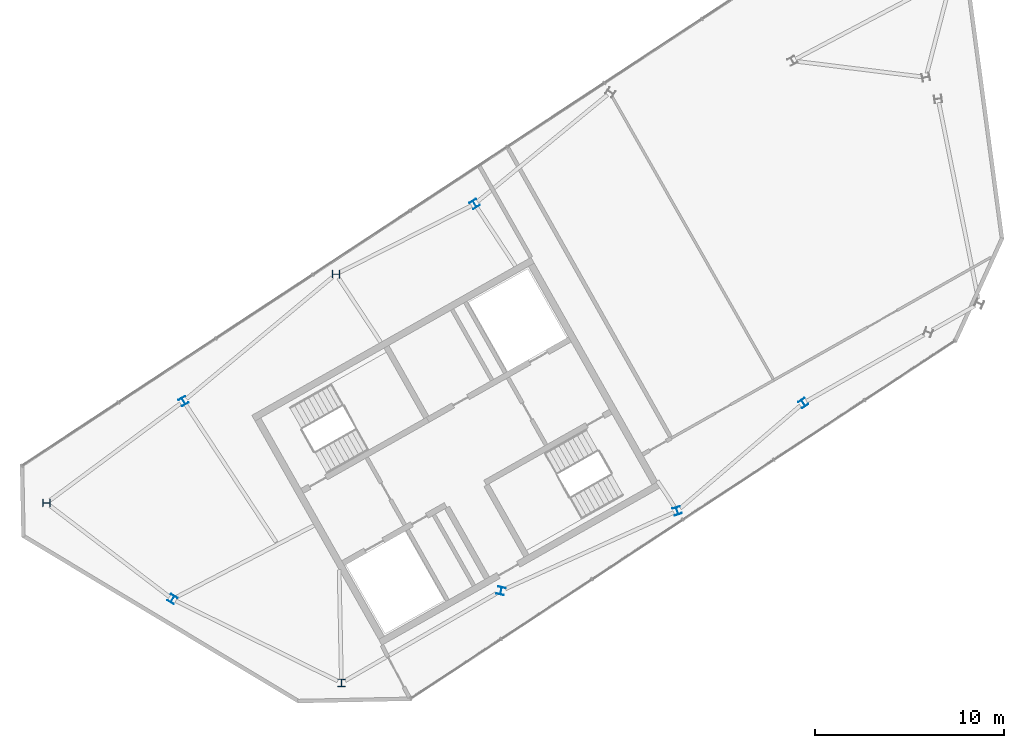
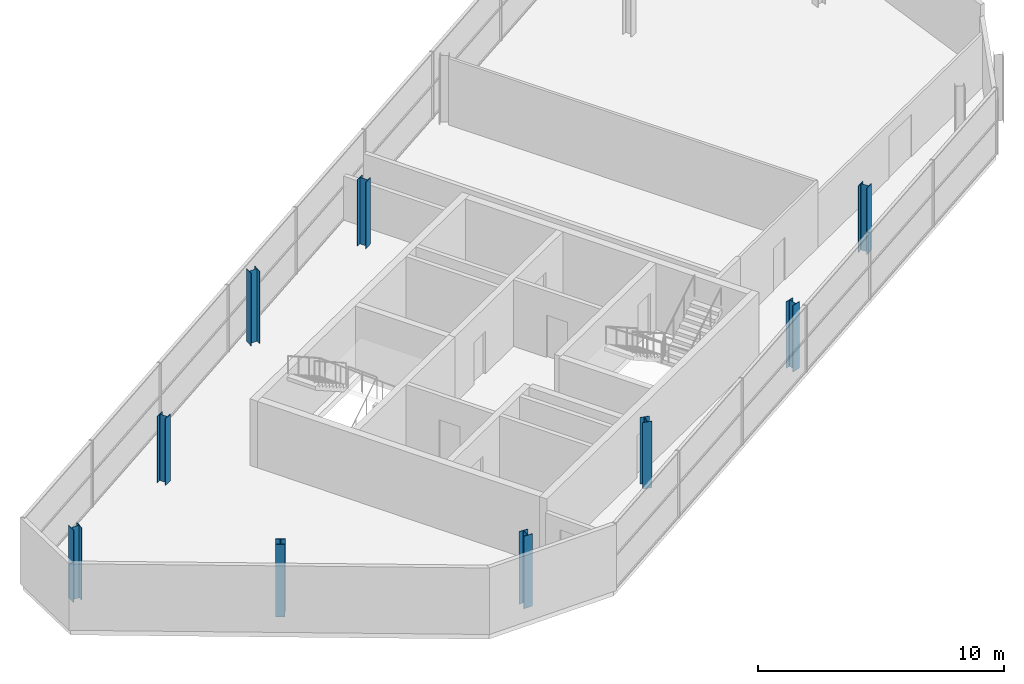
# One storey, part 1 of 8: 9 columns.
"""IFC4 building model written with IfcOpenShell, lengths in metres."""

from ifc_helpers import new_model, si_unit, direction, frame, origin, origin_2d, place, context, subcontext, project, spatial, i_section, extrude, material, material_profile, profile_set, type_object, element, save


model = new_model("IFC4")

# Units and contexts
model_context = context("Model", 3, precision=1e-05, world=origin(), true_north=direction((0.0, 1.0)))
body_context = subcontext(model_context, "Body", "Model", "MODEL_VIEW")
ifc_project = project(units=[si_unit("LENGTHUNIT", "METRE"), si_unit("AREAUNIT", "SQUARE_METRE"), si_unit("VOLUMEUNIT", "CUBIC_METRE"), si_unit("PLANEANGLEUNIT", "RADIAN"), si_unit("MASSUNIT", "GRAM", prefix="KILO")], contexts=[model_context])

# Site, building, storey
site_placement = place(None, origin())
site = spatial("IfcSite", under=ifc_project, at=site_placement, CompositionType="ELEMENT")
building_placement = place(site_placement, origin())
building = spatial("IfcBuilding", under=site, at=building_placement, Name="Binnacle Exchange Tower", CompositionType="ELEMENT")
storey_placement = place(building_placement, frame((0.0, 0.0, 357.699951171875)))
storey = spatial("IfcBuildingStorey", under=building, at=storey_placement, Name="L82", CompositionType="ELEMENT", Elevation=357.699951171875)

# Columns
ifc_material = material(Name="Steel S355 (SHN355)", Category="steel")
ifc_material_profile = material_profile(ifc_material, i_section(OverallWidth=0.39990234375, OverallDepth=0.39990234375, WebThickness=0.012939453125, FlangeThickness=0.02099609375, FilletRadius=0.02197265625, at=origin_2d()), Name="H 400x400x13x21")
ifc_profile_set = profile_set([ifc_material_profile], Name="Steel S355 (SHN355)")
column_type = type_object("IfcColumnType", Name="H 400x400x13x21", PredefinedType="COLUMN", material=ifc_profile_set)
column_1_placement = place(storey_placement, frame((-50.226318359375, 42.4228515625, 0.0), z_axis=(0.0, 0.0, 1.0), x_axis=(-0.87035569594, -0.492423560103, 0.0)))
element("IfcColumn", 1, at=column_1_placement, inside=storey, type_object=column_type, Name="S:COL:MC04:L82", PredefinedType="COLUMN", context=body_context, shape_type="SweptSolid", body=[
    extrude(i_section(OverallWidth=0.39990234375, OverallDepth=0.39990234375, WebThickness=0.012939453125, FlangeThickness=0.02099609375, FilletRadius=0.02197265625, at=origin_2d()), origin(), (0.0, 0.0, 1.0), 3.300048828125),
])
for number, where, z_axis, x_axis, name in (
    (2, (-57.492919921875, 37.02734375, 0.0), (0.0, 0.0, 1.0), (-0.013089595571, -0.999914327574, 0.0), "S:COL:MC02:L82"),
    (3, (-50.81201171875, 31.930908203125, 0.0), (0.0, 0.0, 1.0), (0.857167300702, -0.51503807491, 0.0), "S:COL:MC01:L82"),
    (4, (-41.857666015625, 27.494873046875, 0.0), (0.0, 0.0, 1.0), (0.999914327574, -0.013089595571, 0.0), "S:COL:MC03:L82"),
):
    element("IfcColumn", number, at=place(storey_placement, frame(where, z_axis=z_axis, x_axis=x_axis)), inside=storey, type_object=column_type, Name=name, PredefinedType="COLUMN", context=body_context, shape_type="SweptSolid", body=[
        extrude(i_section(OverallWidth=0.39990234375, OverallDepth=0.39990234375, WebThickness=0.012939453125, FlangeThickness=0.02099609375, FilletRadius=0.02197265625, at=origin_2d()), origin(), (0.0, 0.0, 1.0), 3.60009765625),
    ])
column_2_placement = place(storey_placement, frame((-34.798095703125, 52.87548828125, 0.0), z_axis=(0.0, 0.0, 1.0), x_axis=(0.85345985094, 0.521158596622, 0.0)))
element("IfcColumn", 5, at=column_2_placement, inside=storey, type_object=column_type, Name="S:COL:MC15:L82", PredefinedType="COLUMN", context=body_context, shape_type="SweptSolid", body=[
    extrude(i_section(OverallWidth=0.39990234375, OverallDepth=0.39990234375, WebThickness=0.012939453125, FlangeThickness=0.02099609375, FilletRadius=0.02197265625, at=origin_2d()), origin(), (0.0, 0.0, 1.0), 3.300048828125),
])
column_3_placement = place(storey_placement, frame((-42.144287109375, 49.15283203125, 0.0), z_axis=(0.0, 0.0, 1.0), x_axis=(0.017539659542, 0.999846168339, 0.0)))
element("IfcColumn", 6, at=column_3_placement, inside=storey, type_object=column_type, Name="S:COL:MC10:L82", PredefinedType="COLUMN", context=body_context, shape_type="SweptSolid", body=[
    extrude(i_section(OverallWidth=0.39990234375, OverallDepth=0.39990234375, WebThickness=0.012939453125, FlangeThickness=0.02099609375, FilletRadius=0.02197265625, at=origin_2d()), origin(), (0.0, 0.0, 1.0), 3.60009765625),
])
for number, where, z_axis, x_axis, name in (
    (7, (-33.39990234375, 32.37353515625, 0.0), (0.0, 0.0, 1.0), (-0.971092633177, 0.238702948851, 0.0), "S:COL:MC06:L82"),
    (8, (-24.064697265625, 36.607421875, 0.0), (0.0, 0.0, 1.0), (-0.951749849145, -0.306874933241, 0.0), "S:COL:MC14:L82"),
    (9, (-17.382080078125, 42.323974609375, 0.0), (0.0, 0.0, 1.0), (0.835615665335, 0.549314536351, 0.0), "S:COL:MC23:L82"),
):
    element("IfcColumn", number, at=place(storey_placement, frame(where, z_axis=z_axis, x_axis=x_axis)), inside=storey, type_object=column_type, Name=name, PredefinedType="COLUMN", context=body_context, shape_type="SweptSolid", body=[
        extrude(i_section(OverallWidth=0.39990234375, OverallDepth=0.39990234375, WebThickness=0.012939453125, FlangeThickness=0.02099609375, FilletRadius=0.02197265625, at=origin_2d()), origin(), (0.0, 0.0, 1.0), 3.300048828125),
    ])

save(model, "model.ifc")
